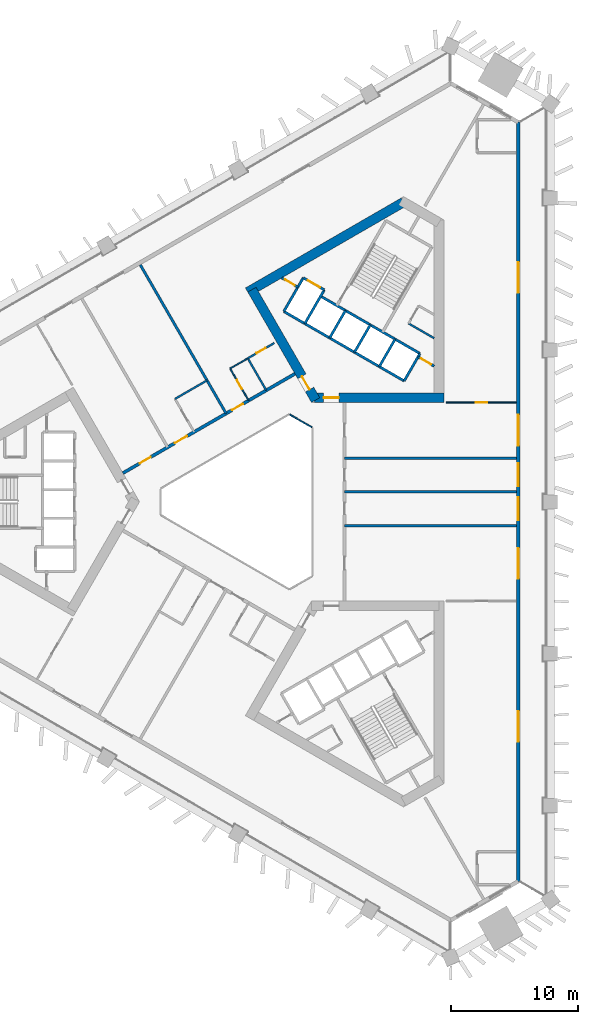
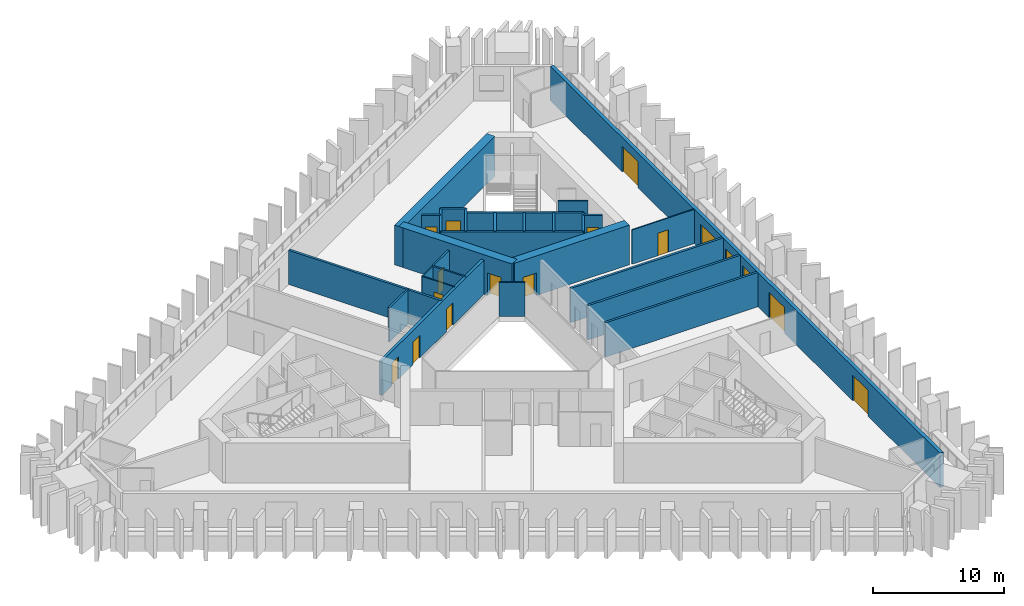
# One storey, part 5 of 10: 28 walls, 15 doors, 2 windows, 17 openings.
"""IFC4 building model written with IfcOpenShell, lengths in metres."""

from ifc_helpers import new_model, si_unit, direction, frame, frame_2d, origin, place, context, subcontext, project, spatial, rectangle, extrude, material, layer, layer_set, type_object, element, fill, save


model = new_model("IFC4")

# Units and contexts
model_context = context("Model", 3, precision=1e-05, world=origin(), true_north=direction((0.0, 1.0)))
body_context = subcontext(model_context, "Body", "Model", "MODEL_VIEW")
ifc_project = project(units=[si_unit("LENGTHUNIT", "METRE"), si_unit("AREAUNIT", "SQUARE_METRE"), si_unit("VOLUMEUNIT", "CUBIC_METRE"), si_unit("PLANEANGLEUNIT", "RADIAN"), si_unit("MASSUNIT", "GRAM", prefix="KILO")], contexts=[model_context])

# Site, building, storey
site_placement = place(None, origin())
site = spatial("IfcSite", under=ifc_project, at=site_placement, CompositionType="ELEMENT")
building_placement = place(site_placement, origin())
building = spatial("IfcBuilding", under=site, at=building_placement, Name="Jabali Bay Hotel Tower and Convention Centre", CompositionType="ELEMENT")
storey_placement = place(building_placement, frame((0.0, 0.0, 68.39990234375)))
storey = spatial("IfcBuildingStorey", under=building, at=storey_placement, Name="L15", CompositionType="ELEMENT", Elevation=68.39990234375)

# Wall
ifc_material_1 = material(Name="Fire-resistant glazing", Category="glass")
ifc_layer_1 = layer(ifc_material_1, 0.10009765625)
ifc_layer_set_1 = layer_set([ifc_layer_1], Name="Fire-resistant glazing")
wall_type_1 = type_object("IfcWallType", Name="Atrium glazed screen 100", PredefinedType="PARTITIONING", material=ifc_layer_set_1)
wall_1_placement = place(storey_placement, frame((79.530029296875, 85.84619140625, 0.0), z_axis=(0.0, 0.0, 1.0), x_axis=(-0.866041268327, 0.499972520799, 0.0)))
element("IfcWall", 1, at=wall_1_placement, inside=storey, type_object=wall_type_1, Name="Atrium screen 2 L15", PredefinedType="PARTITIONING", context=body_context, shape_type="SweptSolid", body=[
    extrude(rectangle(XDim=2.0, YDim=0.10009765625, at=frame_2d((1.0, 0.0))), origin(), (0.0, 0.0, 1.0), 3.2001953125),
])

# Wall, opening, door
ifc_material_2 = material(Name="Concrete C40", Category="concrete")
ifc_layer_2 = layer(ifc_material_2, 0.199951171875)
ifc_layer_set_2 = layer_set([ifc_layer_2], Name="Concrete C40")
wall_type_2 = type_object("IfcWallType", Name="Core partition wall 200", PredefinedType="PARTITIONING", material=ifc_layer_set_2)
wall_2_placement = place(storey_placement, frame((89.130126953125, 90.640625, 0.0), z_axis=(0.0, 0.0, 1.0), x_axis=(-0.866094119867, 0.499880961361, 0.0)))
wall_2 = element("IfcWall", 2, at=wall_2_placement, inside=storey, type_object=wall_type_2, Name="Core wall 1.11 L15", PredefinedType="PARTITIONING", context=body_context, shape_type="SweptSolid", body=[
    extrude(rectangle(XDim=1.466552734375, YDim=0.199951171875, at=frame_2d((0.7333984375, 0.0))), origin(), (0.0, 0.0, 1.0), 3.2001953125),
])
opening_1_placement = place(wall_2_placement, frame((0.283447265625, 0.0, 0.0)))
opening_1 = element("IfcOpeningElement", 3, at=opening_1_placement, cuts=wall_2, Name="Opening D393", PredefinedType="OPENING", context=body_context, shape_type="SweptSolid", body=[
    extrude(rectangle(XDim=0.89990234375, YDim=2.10009765625, at=frame_2d((0.449951171875, 1.050048828125))), frame((0.0, 0.1103515625, 0.0), z_axis=(0.0, -1.0, 0.0), x_axis=(1.0, 0.0, 0.0)), (0.0, 0.0, 1.0), 0.220947265625),
])
ifc_material_3 = material(Name="Fire-rated steel door", Category="steel")
door_type_1 = type_object("IfcDoorType", Name="Vestibule fire door 900 x 2100", OperationType="NOTDEFINED", PredefinedType="NOTDEFINED", material=ifc_material_3)
door_1_placement = place(opening_1_placement, origin())
door_1 = element("IfcDoor", 4, at=door_1_placement, inside=storey, type_object=door_type_1, Name="Vestibule fire door D393", OperationType="SINGLE_SWING_LEFT", OverallHeight=2.10009765625, OverallWidth=0.89990234375, PredefinedType="NOTDEFINED", context=body_context, shape_type="SweptSolid", body=[
    extrude(rectangle(XDim=0.89990234375, YDim=2.10009765625, at=frame_2d((0.449951171875, 1.050048828125))), frame((0.0, 0.02490234375, 0.0), z_axis=(0.0, -1.0, 0.0), x_axis=(1.0, 0.0, 0.0)), (0.0, 0.0, 1.0), 0.050048828125),
])
fill(opening_1, door_1)

wall_3_placement = place(storey_placement, frame((78.43017578125, 96.84130859375, 0.0), z_axis=(0.0, 0.0, 1.0), x_axis=(-0.866045896294, 0.499964504253, 0.0)))
wall_3 = element("IfcWall", 5, at=wall_3_placement, inside=storey, type_object=wall_type_2, Name="Core wall 1.12 L15", PredefinedType="PARTITIONING", context=body_context, shape_type="SweptSolid", body=[
    extrude(rectangle(XDim=1.455078125, YDim=0.199951171875, at=frame_2d((0.7275390625, 0.0))), origin(), (0.0, 0.0, 1.0), 3.2001953125),
])
opening_2_placement = place(wall_3_placement, frame((0.277587890625, 0.0, 0.0)))
opening_2 = element("IfcOpeningElement", 6, at=opening_2_placement, cuts=wall_3, Name="Opening D392", PredefinedType="OPENING", context=body_context, shape_type="SweptSolid", body=[
    extrude(rectangle(XDim=0.89990234375, YDim=2.10009765625, at=frame_2d((0.449951171875, 1.050048828125))), frame((0.0, 0.1103515625, 0.0), z_axis=(0.0, -1.0, 0.0), x_axis=(1.0, 0.0, 0.0)), (0.0, 0.0, 1.0), 0.220947265625),
])
door_2_placement = place(opening_2_placement, origin())
door_2 = element("IfcDoor", 7, at=door_2_placement, inside=storey, type_object=door_type_1, Name="Vestibule fire door D392", OperationType="SINGLE_SWING_LEFT", OverallHeight=2.10009765625, OverallWidth=0.89990234375, PredefinedType="NOTDEFINED", context=body_context, shape_type="SweptSolid", body=[
    extrude(rectangle(XDim=0.89990234375, YDim=2.10009765625, at=frame_2d((0.449951171875, 1.050048828125))), frame((0.0, 0.02490234375, 0.0), z_axis=(0.0, -1.0, 0.0), x_axis=(1.0, 0.0, 0.0)), (0.0, 0.0, 1.0), 0.050048828125),
])
fill(opening_2, door_2)

# Walls
ifc_material_4 = material(Name="Fire-rated board partition")
ifc_layer_3 = layer(ifc_material_4, 0.14990234375)
ifc_layer_set_3 = layer_set([ifc_layer_3], Name="Fire-rated board partition")
wall_type_3 = type_object("IfcWallType", Name="Core room partition 150", PredefinedType="PARTITIONING", material=ifc_layer_set_3)
wall_4_placement = place(storey_placement, frame((89.130126953125, 92.83447265625, 0.0), z_axis=(0.0, 0.0, 1.0), x_axis=(-0.866026103983, 0.499998787219, 0.0)))
element("IfcWall", 8, at=wall_4_placement, inside=storey, type_object=wall_type_3, Name="Core wall 1.15 L15", PredefinedType="PARTITIONING", context=body_context, shape_type="SweptSolid", body=[
    extrude(rectangle(XDim=2.31982421875, YDim=0.14990234375, at=frame_2d((1.159912109375, 0.0))), origin(), (0.0, 0.0, 1.0), 3.2001953125),
])
ifc_layer_4 = layer(ifc_material_2, 0.199951171875)
ifc_layer_set_4 = layer_set([ifc_layer_4], Name="Concrete C40")
wall_type_4 = type_object("IfcWallType", Name="Core stair wall 200", PredefinedType="SOLIDWALL", material=ifc_layer_set_4)
for number, where, z_axis, x_axis, name in (
    (9, (86.769775390625, 89.48583984375, 0.0), (0.0, 0.0, 1.0), (0.499961042966, 0.86604789447, 0.0), "Core wall 1.0 L15"),
    (10, (84.8212890625, 90.61083984375, 0.0), (0.0, 0.0, 1.0), (0.499961042966, 0.86604789447, 0.0), "Core wall 1.2 L15"),
    (11, (82.872802734375, 91.73583984375, 0.0), (0.0, 0.0, 1.0), (0.499961042966, 0.86604789447, 0.0), "Core wall 1.4 L15"),
    (12, (80.924072265625, 92.86083984375, 0.0), (0.0, 0.0, 1.0), (0.499961042966, 0.86604789447, 0.0), "Core wall 1.6 L15"),
):
    element("IfcWall", number, at=place(storey_placement, frame(where, z_axis=z_axis, x_axis=x_axis)), inside=storey, type_object=wall_type_4, Name=name, PredefinedType="SOLIDWALL", context=body_context, shape_type="SweptSolid", body=[
        extrude(rectangle(XDim=2.480224609375, YDim=0.199951171875, at=frame_2d((1.240234375, 0.0))), origin(), (0.0, 0.0, 1.0), 3.2001953125),
    ])
for number, where, z_axis, x_axis, name in (
    (13, (78.9755859375, 93.98583984375, 0.0), (0.0, 0.0, 1.0), (0.499944174705, 0.866057632134, 0.0), "Core wall 1.8 L15"),
    (14, (77.330078125, 94.93603515625, 0.0), (0.0, 0.0, 1.0), (0.500038867431, 0.8660029625, 0.0), "Core wall 1.9 L15"),
):
    element("IfcWall", number, at=place(storey_placement, frame(where, z_axis=z_axis, x_axis=x_axis)), inside=storey, type_object=wall_type_4, Name=name, PredefinedType="SOLIDWALL", context=body_context, shape_type="SweptSolid", body=[
        extrude(rectangle(XDim=3.050048828125, YDim=0.199951171875, at=frame_2d((1.52490234375, 0.0))), origin(), (0.0, 0.0, 1.0), 3.2001953125),
    ])
wall_5_placement = place(storey_placement, frame((86.769775390625, 89.48583984375, 0.0), z_axis=(0.0, 0.0, 1.0), x_axis=(-0.86601811187, 0.500012629753, 0.0)))
element("IfcWall", 15, at=wall_5_placement, inside=storey, type_object=wall_type_4, Name="Core wall 1.10 L15", PredefinedType="SOLIDWALL", context=body_context, shape_type="SweptSolid", body=[
    extrude(rectangle(XDim=10.900146484375, YDim=0.199951171875, at=frame_2d((5.4501953125, 0.0))), origin(), (0.0, 0.0, 1.0), 3.2001953125),
])
wall_6_placement = place(storey_placement, frame((88.009765625, 91.6337890625, 0.0), z_axis=(0.0, 0.0, 1.0), x_axis=(-0.866024315419, 0.5000018851, 0.0)))
element("IfcWall", 16, at=wall_6_placement, inside=storey, type_object=wall_type_4, Name="Core wall 1.13 L15", PredefinedType="SOLIDWALL", context=body_context, shape_type="SweptSolid", body=[
    extrude(rectangle(XDim=9.0, YDim=0.199951171875, at=frame_2d((4.5, 0.0))), origin(), (0.0, 0.0, 1.0), 3.2001953125),
])

# Wall, opening, door
wall_7_placement = place(storey_placement, frame((80.50048828125, 96.62744140625, 0.0), z_axis=(0.0, 0.0, 1.0), x_axis=(-0.86601224135, 0.500022797313, 0.0)))
wall_7 = element("IfcWall", 17, at=wall_7_placement, inside=storey, type_object=wall_type_4, Name="Core wall 1.14 L15", PredefinedType="SOLIDWALL", context=body_context, shape_type="SweptSolid", body=[
    extrude(rectangle(XDim=1.89990234375, YDim=0.199951171875, at=frame_2d((0.949951171875, 0.0))), origin(), (0.0, 0.0, 1.0), 3.2001953125),
])
opening_3_placement = place(wall_7_placement, frame((0.39990234375, 0.0, 0.0)))
opening_3 = element("IfcOpeningElement", 18, at=opening_3_placement, cuts=wall_7, Name="Opening LD10-L15", PredefinedType="OPENING", context=body_context, shape_type="SweptSolid", body=[
    extrude(rectangle(XDim=1.10009765625, YDim=2.10009765625, at=frame_2d((0.550048828125, 1.050048828125))), frame((0.0, 0.1103515625, 0.0), z_axis=(0.0, -1.0, 0.0), x_axis=(1.0, 0.0, 0.0)), (0.0, 0.0, 1.0), 0.220947265625),
])
ifc_material_5 = material(Name="Stainless steel landing door", Category="steel")
door_type_2 = type_object("IfcDoorType", Name="Landing door 1100 x 2100", OperationType="NOTDEFINED", PredefinedType="NOTDEFINED", material=ifc_material_5)
door_3_placement = place(opening_3_placement, origin())
door_3 = element("IfcDoor", 19, at=door_3_placement, inside=storey, type_object=door_type_2, Name="Landing doors LD10-L15", OperationType="SLIDING_TO_RIGHT", OverallHeight=2.10009765625, OverallWidth=1.10009765625, PredefinedType="NOTDEFINED", context=body_context, shape_type="SweptSolid", body=[
    extrude(rectangle(XDim=1.10009765625, YDim=2.10009765625, at=frame_2d((0.550048828125, 1.050048828125))), frame((0.0, 0.02490234375, 0.0), z_axis=(0.0, -1.0, 0.0), x_axis=(1.0, 0.0, 0.0)), (0.0, 0.0, 1.0), 0.050048828125),
])
fill(opening_3, door_3)

ifc_material_6 = material(Name="Concrete C60", Category="concrete")
ifc_layer_5 = layer(ifc_material_6, 0.75)
ifc_layer_set_5 = layer_set([ifc_layer_5], Name="Concrete C60")
wall_type_5 = type_object("IfcWallType", Name="Core wall 750", PredefinedType="SHEAR", material=ifc_layer_set_5)
wall_8_placement = place(storey_placement, frame((79.716552734375, 88.169189453125, 0.0), z_axis=(0.0, 0.0, 1.0), x_axis=(1.0, 0.0, 0.0)))
wall_8 = element("IfcWall", 20, at=wall_8_placement, inside=storey, type_object=wall_type_5, Name="Core wall 2.1 L15", PredefinedType="SHEAR", context=body_context, shape_type="SweptSolid", body=[
    extrude(rectangle(XDim=10.163330078125, YDim=0.75, at=frame_2d((5.08154296875, 0.0))), origin(), (0.0, 0.0, 1.0), 3.7001953125),
])
opening_4_placement = place(wall_8_placement, frame((0.7333984375, 0.0, 0.0)))
opening_4 = element("IfcOpeningElement", 21, at=opening_4_placement, cuts=wall_8, Name="Opening D390", PredefinedType="OPENING", context=body_context, shape_type="SweptSolid", body=[
    extrude(rectangle(XDim=1.199951171875, YDim=2.10009765625, at=frame_2d((0.60009765625, 1.050048828125))), frame((0.0, 0.385498046875, 0.0), z_axis=(0.0, -1.0, 0.0), x_axis=(1.0, 0.0, 0.0)), (0.0, 0.0, 1.0), 0.77099609375),
])
door_type_3 = type_object("IfcDoorType", Name="Corridor end fire door 1200 x 2100", OperationType="NOTDEFINED", PredefinedType="NOTDEFINED", material=ifc_material_3)
door_4_placement = place(opening_4_placement, origin())
door_4 = element("IfcDoor", 22, at=door_4_placement, inside=storey, type_object=door_type_3, Name="Corridor end fire door D390", OperationType="SINGLE_SWING_RIGHT", OverallHeight=2.10009765625, OverallWidth=1.199951171875, PredefinedType="NOTDEFINED", context=body_context, shape_type="SweptSolid", body=[
    extrude(rectangle(XDim=1.199951171875, YDim=2.10009765625, at=frame_2d((0.60009765625, 1.050048828125))), frame((0.0, 0.02490234375, 0.0), z_axis=(0.0, -1.0, 0.0), x_axis=(1.0, 0.0, 0.0)), (0.0, 0.0, 1.0), 0.050048828125),
])
fill(opening_4, door_4)

# Wall
wall_9_placement = place(storey_placement, frame((86.72314453125, 103.517333984375, 0.0), z_axis=(0.0, 0.0, 1.0), x_axis=(-0.866020851292, -0.500007885066, 0.0)))
element("IfcWall", 23, at=wall_9_placement, inside=storey, type_object=wall_type_5, Name="Core wall 2.4 L15", PredefinedType="SHEAR", context=body_context, shape_type="SweptSolid", body=[
    extrude(rectangle(XDim=14.116943359375, YDim=0.75, at=frame_2d((7.05859375, 0.0))), origin(), (0.0, 0.0, 1.0), 3.7001953125),
])

# Wall, opening, door
wall_10_placement = place(storey_placement, frame((74.822265625, 96.646240234375, 0.0), z_axis=(0.0, 0.0, 1.0), x_axis=(0.499997052475, -0.866027105532, 0.0)))
wall_10 = element("IfcWall", 24, at=wall_10_placement, inside=storey, type_object=wall_type_5, Name="Core wall 2.5 L15", PredefinedType="SHEAR", context=body_context, shape_type="SweptSolid", body=[
    extrude(rectangle(XDim=10.0048828125, YDim=0.75, at=frame_2d((5.00244140625, 0.0))), origin(), (0.0, 0.0, 1.0), 3.7001953125),
])
opening_5_placement = place(wall_10_placement, frame((7.85498046875, 0.0, 0.0)))
opening_5 = element("IfcOpeningElement", 25, at=opening_5_placement, cuts=wall_10, Name="Opening D391", PredefinedType="OPENING", context=body_context, shape_type="SweptSolid", body=[
    extrude(rectangle(XDim=1.199951171875, YDim=2.10009765625, at=frame_2d((0.60009765625, 1.050048828125))), frame((0.0, 0.385498046875, 0.0), z_axis=(0.0, -1.0, 0.0), x_axis=(1.0, 0.0, 0.0)), (0.0, 0.0, 1.0), 0.77099609375),
])
door_5_placement = place(opening_5_placement, origin())
door_5 = element("IfcDoor", 26, at=door_5_placement, inside=storey, type_object=door_type_3, Name="Corridor end fire door D391", OperationType="SINGLE_SWING_LEFT", OverallHeight=2.10009765625, OverallWidth=1.199951171875, PredefinedType="NOTDEFINED", context=body_context, shape_type="SweptSolid", body=[
    extrude(rectangle(XDim=1.199951171875, YDim=2.10009765625, at=frame_2d((0.60009765625, 1.050048828125))), frame((0.0, 0.02490234375, 0.0), z_axis=(0.0, -1.0, 0.0), x_axis=(1.0, 0.0, 0.0)), (0.0, 0.0, 1.0), 0.050048828125),
])
fill(opening_5, door_5)

# Wall, openings, doors
ifc_layer_6 = layer(ifc_material_6, 0.25)
ifc_layer_set_6 = layer_set([ifc_layer_6], Name="Concrete C60")
wall_type_6 = type_object("IfcWallType", Name="Corridor wall 250", PredefinedType="SHEAR", material=ifc_layer_set_6)
wall_11_placement = place(storey_placement, frame((78.199951171875, 90.0458984375, 0.0), z_axis=(0.0, 0.0, 1.0), x_axis=(-0.866026492143, -0.499998114903, 0.0)))
wall_11 = element("IfcWall", 27, at=wall_11_placement, inside=storey, type_object=wall_type_6, Name="Corridor wall 2 L15", PredefinedType="SHEAR", context=body_context, shape_type="SweptSolid", body=[
    extrude(rectangle(XDim=15.58837890625, YDim=0.25, at=frame_2d((7.794189453125, 0.0))), origin(), (0.0, 0.0, 1.0), 3.2001953125),
])
opening_6_placement = place(wall_11_placement, frame((4.7177734375, 0.0, 0.0)))
opening_6 = element("IfcOpeningElement", 28, at=opening_6_placement, cuts=wall_11, Name="Opening 1511", PredefinedType="OPENING", context=body_context, shape_type="SweptSolid", body=[
    extrude(rectangle(XDim=1.0, YDim=2.10009765625, at=frame_2d((0.5, 1.050048828125))), frame((0.0, 0.135498046875, 0.0), z_axis=(0.0, -1.0, 0.0), x_axis=(1.0, 0.0, 0.0)), (0.0, 0.0, 1.0), 0.27099609375),
])
opening_7_placement = place(wall_11_placement, frame((9.785400390625, 0.0, 0.0)))
opening_7 = element("IfcOpeningElement", 29, at=opening_7_placement, cuts=wall_11, Name="Opening 1513", PredefinedType="OPENING", context=body_context, shape_type="SweptSolid", body=[
    extrude(rectangle(XDim=1.10009765625, YDim=2.10009765625, at=frame_2d((0.550048828125, 1.050048828125))), frame((0.0, 0.135498046875, 0.0), z_axis=(0.0, -1.0, 0.0), x_axis=(1.0, 0.0, 0.0)), (0.0, 0.0, 1.0), 0.27099609375),
])
opening_8_placement = place(wall_11_placement, frame((13.06201171875, 0.0, 0.0)))
opening_8 = element("IfcOpeningElement", 30, at=opening_8_placement, cuts=wall_11, Name="Opening 1514", PredefinedType="OPENING", context=body_context, shape_type="SweptSolid", body=[
    extrude(rectangle(XDim=1.0, YDim=2.10009765625, at=frame_2d((0.5, 1.050048828125))), frame((0.0, 0.135498046875, 0.0), z_axis=(0.0, -1.0, 0.0), x_axis=(1.0, 0.0, 0.0)), (0.0, 0.0, 1.0), 0.27099609375),
])
ifc_material_7 = material(Name="Timber", Category="wood")
door_type_4 = type_object("IfcDoorType", Name="Accessible guest room door 1100 x 2100", OperationType="NOTDEFINED", PredefinedType="NOTDEFINED", material=ifc_material_7)
door_6_placement = place(opening_7_placement, origin())
door_6 = element("IfcDoor", 31, at=door_6_placement, inside=storey, type_object=door_type_4, Name="Door 1513", OperationType="SINGLE_SWING_RIGHT", OverallHeight=2.10009765625, OverallWidth=1.10009765625, PredefinedType="NOTDEFINED", context=body_context, shape_type="SweptSolid", body=[
    extrude(rectangle(XDim=1.10009765625, YDim=2.10009765625, at=frame_2d((0.550048828125, 1.050048828125))), frame((0.0, 0.02490234375, 0.0), z_axis=(0.0, -1.0, 0.0), x_axis=(1.0, 0.0, 0.0)), (0.0, 0.0, 1.0), 0.050048828125),
])
fill(opening_7, door_6)
door_type_5 = type_object("IfcDoorType", Name="Guest room door 1000 x 2100", OperationType="NOTDEFINED", PredefinedType="NOTDEFINED", material=ifc_material_7)
door_7_placement = place(opening_6_placement, origin())
door_7 = element("IfcDoor", 32, at=door_7_placement, inside=storey, type_object=door_type_5, Name="Door 1511", OperationType="SINGLE_SWING_LEFT", OverallHeight=2.10009765625, OverallWidth=1.0, PredefinedType="NOTDEFINED", context=body_context, shape_type="SweptSolid", body=[
    extrude(rectangle(XDim=1.0, YDim=2.10009765625, at=frame_2d((0.5, 1.050048828125))), frame((0.0, 0.02490234375, 0.0), z_axis=(0.0, -1.0, 0.0), x_axis=(1.0, 0.0, 0.0)), (0.0, 0.0, 1.0), 0.050048828125),
])
fill(opening_6, door_7)
door_8_placement = place(opening_8_placement, origin())
door_8 = element("IfcDoor", 33, at=door_8_placement, inside=storey, type_object=door_type_5, Name="Door 1514", OperationType="SINGLE_SWING_RIGHT", OverallHeight=2.10009765625, OverallWidth=1.0, PredefinedType="NOTDEFINED", context=body_context, shape_type="SweptSolid", body=[
    extrude(rectangle(XDim=1.0, YDim=2.10009765625, at=frame_2d((0.5, 1.050048828125))), frame((0.0, 0.02490234375, 0.0), z_axis=(0.0, -1.0, 0.0), x_axis=(1.0, 0.0, 0.0)), (0.0, 0.0, 1.0), 0.050048828125),
])
fill(opening_8, door_8)

# Wall, openings, doors, windows
ifc_layer_7 = layer(ifc_material_2, 0.300048828125)
ifc_layer_set_7 = layer_set([ifc_layer_7], Name="Concrete C40")
wall_type_7 = type_object("IfcWallType", Name="External wall 300", PredefinedType="SOLIDWALL", material=ifc_layer_set_7)
wall_12_placement = place(storey_placement, frame((95.724853515625, 109.7978515625, 0.0), z_axis=(0.0, 0.0, 1.0), x_axis=(0.0, -1.0, 0.0)))
wall_12 = element("IfcWall", 34, at=wall_12_placement, inside=storey, type_object=wall_type_7, Name="External wall east face L15", PredefinedType="SOLIDWALL", context=body_context, shape_type="SweptSolid", body=[
    extrude(rectangle(XDim=59.595703125, YDim=0.300048828125, at=frame_2d((29.7978515625, 0.0))), origin(), (0.0, 0.0, 1.0), 3.2001953125),
])
opening_9_placement = place(wall_12_placement, frame((33.430419921875, 0.0, 0.0)))
opening_9 = element("IfcOpeningElement", 35, at=opening_9_placement, cuts=wall_12, Name="Opening SD1", PredefinedType="OPENING", context=body_context, shape_type="SweptSolid", body=[
    extrude(rectangle(XDim=2.39990234375, YDim=2.39990234375, at=frame_2d((1.199951171875, 1.199951171875))), frame((0.0, 0.16064453125, 0.0), z_axis=(0.0, -1.0, 0.0), x_axis=(1.0, 0.0, 0.0)), (0.0, 0.0, 1.0), 0.321044921875),
])
opening_10_placement = place(wall_12_placement, frame((46.230224609375, 0.0, 0.0)))
opening_10 = element("IfcOpeningElement", 36, at=opening_10_placement, cuts=wall_12, Name="Opening SD1", PredefinedType="OPENING", context=body_context, shape_type="SweptSolid", body=[
    extrude(rectangle(XDim=2.39990234375, YDim=2.39990234375, at=frame_2d((1.199951171875, 1.199951171875))), frame((0.0, 0.16064453125, 0.0), z_axis=(0.0, -1.0, 0.0), x_axis=(1.0, 0.0, 0.0)), (0.0, 0.0, 1.0), 0.321044921875),
])
opening_11_placement = place(wall_12_placement, frame((22.986083984375, 0.0, 0.0)))
opening_11 = element("IfcOpeningElement", 37, at=opening_11_placement, cuts=wall_12, Name="Opening SD1", PredefinedType="OPENING", context=body_context, shape_type="SweptSolid", body=[
    extrude(rectangle(XDim=2.39990234375, YDim=2.39990234375, at=frame_2d((1.199951171875, 1.199951171875))), frame((0.0, 0.16064453125, 0.0), z_axis=(0.0, -1.0, 0.0), x_axis=(1.0, 0.0, 0.0)), (0.0, 0.0, 1.0), 0.321044921875),
])
opening_12_placement = place(wall_12_placement, frame((10.99462890625, 0.0, 0.0)))
opening_12 = element("IfcOpeningElement", 38, at=opening_12_placement, cuts=wall_12, Name="Opening SD1", PredefinedType="OPENING", context=body_context, shape_type="SweptSolid", body=[
    extrude(rectangle(XDim=2.39990234375, YDim=2.39990234375, at=frame_2d((1.199951171875, 1.199951171875))), frame((0.0, 0.16064453125, 0.0), z_axis=(0.0, -1.0, 0.0), x_axis=(1.0, 0.0, 0.0)), (0.0, 0.0, 1.0), 0.321044921875),
])
opening_13_placement = place(wall_12_placement, frame((29.443603515625, 0.0, 0.89990234375)))
opening_13 = element("IfcOpeningElement", 39, at=opening_13_placement, cuts=wall_12, Name="Opening W1", PredefinedType="OPENING", context=body_context, shape_type="SweptSolid", body=[
    extrude(rectangle(XDim=1.800048828125, YDim=1.5, at=frame_2d((0.89990234375, 0.75))), frame((0.0, 0.16064453125, 0.0), z_axis=(0.0, -1.0, 0.0), x_axis=(1.0, 0.0, 0.0)), (0.0, 0.0, 1.0), 0.321044921875),
])
opening_14_placement = place(wall_12_placement, frame((26.79345703125, 0.0, 0.89990234375)))
opening_14 = element("IfcOpeningElement", 40, at=opening_14_placement, cuts=wall_12, Name="Opening W1", PredefinedType="OPENING", context=body_context, shape_type="SweptSolid", body=[
    extrude(rectangle(XDim=1.800048828125, YDim=1.5, at=frame_2d((0.89990234375, 0.75))), frame((0.0, 0.16064453125, 0.0), z_axis=(0.0, -1.0, 0.0), x_axis=(1.0, 0.0, 0.0)), (0.0, 0.0, 1.0), 0.321044921875),
])
ifc_material_8 = material(Name="Glass", Category="glass")
door_type_6 = type_object("IfcDoorType", Name="Loggia sliding door 2400 x 2400", OperationType="NOTDEFINED", PredefinedType="NOTDEFINED", material=ifc_material_8)
door_9_placement = place(opening_9_placement, origin())
door_9 = element("IfcDoor", 41, at=door_9_placement, inside=storey, type_object=door_type_6, Name="Loggia sliding door 1501", OperationType="SLIDING_TO_LEFT", OverallHeight=2.39990234375, OverallWidth=2.39990234375, PredefinedType="NOTDEFINED", context=body_context, shape_type="SweptSolid", body=[
    extrude(rectangle(XDim=2.39990234375, YDim=2.39990234375, at=frame_2d((1.199951171875, 1.199951171875))), frame((0.0, 0.02490234375, 0.0), z_axis=(0.0, -1.0, 0.0), x_axis=(1.0, 0.0, 0.0)), (0.0, 0.0, 1.0), 0.050048828125),
])
fill(opening_9, door_9)
door_10_placement = place(opening_10_placement, origin())
door_10 = element("IfcDoor", 42, at=door_10_placement, inside=storey, type_object=door_type_6, Name="Loggia sliding door 1501", OperationType="SLIDING_TO_RIGHT", OverallHeight=2.39990234375, OverallWidth=2.39990234375, PredefinedType="NOTDEFINED", context=body_context, shape_type="SweptSolid", body=[
    extrude(rectangle(XDim=2.39990234375, YDim=2.39990234375, at=frame_2d((1.199951171875, 1.199951171875))), frame((0.0, 0.02490234375, 0.0), z_axis=(0.0, -1.0, 0.0), x_axis=(1.0, 0.0, 0.0)), (0.0, 0.0, 1.0), 0.050048828125),
])
fill(opening_10, door_10)
door_11_placement = place(opening_11_placement, origin())
door_11 = element("IfcDoor", 43, at=door_11_placement, inside=storey, type_object=door_type_6, Name="Loggia sliding door 1504", OperationType="SLIDING_TO_LEFT", OverallHeight=2.39990234375, OverallWidth=2.39990234375, PredefinedType="NOTDEFINED", context=body_context, shape_type="SweptSolid", body=[
    extrude(rectangle(XDim=2.39990234375, YDim=2.39990234375, at=frame_2d((1.199951171875, 1.199951171875))), frame((0.0, 0.02490234375, 0.0), z_axis=(0.0, -1.0, 0.0), x_axis=(1.0, 0.0, 0.0)), (0.0, 0.0, 1.0), 0.050048828125),
])
fill(opening_11, door_11)
door_12_placement = place(opening_12_placement, origin())
door_12 = element("IfcDoor", 44, at=door_12_placement, inside=storey, type_object=door_type_6, Name="Loggia sliding door 1504", OperationType="SLIDING_TO_RIGHT", OverallHeight=2.39990234375, OverallWidth=2.39990234375, PredefinedType="NOTDEFINED", context=body_context, shape_type="SweptSolid", body=[
    extrude(rectangle(XDim=2.39990234375, YDim=2.39990234375, at=frame_2d((1.199951171875, 1.199951171875))), frame((0.0, 0.02490234375, 0.0), z_axis=(0.0, -1.0, 0.0), x_axis=(1.0, 0.0, 0.0)), (0.0, 0.0, 1.0), 0.050048828125),
])
fill(opening_12, door_12)
window_type = type_object("IfcWindowType", Name="Window 1800 x 1500", PartitioningType="SINGLE_PANEL", PredefinedType="WINDOW", material=ifc_material_8)
window_1_placement = place(opening_13_placement, origin())
window_1 = element("IfcWindow", 45, at=window_1_placement, inside=storey, type_object=window_type, Name="Window 1502", OverallHeight=1.5, OverallWidth=1.800048828125, PartitioningType="SINGLE_PANEL", PredefinedType="WINDOW", context=body_context, shape_type="SweptSolid", body=[
    extrude(rectangle(XDim=1.800048828125, YDim=1.5, at=frame_2d((0.89990234375, 0.75))), frame((0.0, 0.030029296875, 0.0), z_axis=(0.0, -1.0, 0.0), x_axis=(1.0, 0.0, 0.0)), (0.0, 0.0, 1.0), 0.06005859375),
])
fill(opening_13, window_1)
window_2_placement = place(opening_14_placement, origin())
window_2 = element("IfcWindow", 46, at=window_2_placement, inside=storey, type_object=window_type, Name="Window 1503", OverallHeight=1.5, OverallWidth=1.800048828125, PartitioningType="SINGLE_PANEL", PredefinedType="WINDOW", context=body_context, shape_type="SweptSolid", body=[
    extrude(rectangle(XDim=1.800048828125, YDim=1.5, at=frame_2d((0.89990234375, 0.75))), frame((0.0, 0.030029296875, 0.0), z_axis=(0.0, -1.0, 0.0), x_axis=(1.0, 0.0, 0.0)), (0.0, 0.0, 1.0), 0.06005859375),
])
fill(opening_14, window_2)

# Wall, opening, door
ifc_material_9 = material(Name="Plasterboard on steel stud", Category="steel")
ifc_layer_8 = layer(ifc_material_9, 0.10009765625)
ifc_layer_set_8 = layer_set([ifc_layer_8], Name="Plasterboard on steel stud")
wall_type_8 = type_object("IfcWallType", Name="Partition 100 unit", PredefinedType="PARTITIONING", material=ifc_layer_set_8)
wall_13_placement = place(storey_placement, frame((95.57568359375, 87.794189453125, 0.0), z_axis=(0.0, 0.0, 1.0), x_axis=(-1.0, 0.0, 0.0)))
wall_13 = element("IfcWall", 47, at=wall_13_placement, inside=storey, type_object=wall_type_8, Name="Partition P02 L15 009", PredefinedType="PARTITIONING", context=body_context, shape_type="SweptSolid", body=[
    extrude(rectangle(XDim=5.49658203125, YDim=0.10009765625, at=frame_2d((2.748291015625, 0.0))), origin(), (0.0, 0.0, 1.0), 3.2001953125),
])
opening_15_placement = place(wall_13_placement, frame((2.298095703125, 0.0, 0.0)))
opening_15 = element("IfcOpeningElement", 48, at=opening_15_placement, cuts=wall_13, Name="Opening 1507", PredefinedType="OPENING", context=body_context, shape_type="SweptSolid", body=[
    extrude(rectangle(XDim=0.89990234375, YDim=2.10009765625, at=frame_2d((0.449951171875, 1.050048828125))), frame((0.0, 0.060546875, 0.0), z_axis=(0.0, -1.0, 0.0), x_axis=(1.0, 0.0, 0.0)), (0.0, 0.0, 1.0), 0.12109375),
])
door_type_7 = type_object("IfcDoorType", Name="Internal door 900 x 2100", OperationType="NOTDEFINED", PredefinedType="NOTDEFINED", material=ifc_material_7)
door_13_placement = place(opening_15_placement, origin())
door_13 = element("IfcDoor", 49, at=door_13_placement, inside=storey, type_object=door_type_7, Name="Door 1507", OperationType="SINGLE_SWING_LEFT", OverallHeight=2.10009765625, OverallWidth=0.89990234375, PredefinedType="NOTDEFINED", context=body_context, shape_type="SweptSolid", body=[
    extrude(rectangle(XDim=0.89990234375, YDim=2.10009765625, at=frame_2d((0.449951171875, 1.050048828125))), frame((0.0, 0.02490234375, 0.0), z_axis=(0.0, -1.0, 0.0), x_axis=(1.0, 0.0, 0.0)), (0.0, 0.0, 1.0), 0.050048828125),
])
fill(opening_15, door_13)

wall_14_placement = place(storey_placement, frame((74.562744140625, 87.94580078125, 0.0), z_axis=(0.0, 0.0, 1.0), x_axis=(-0.499987231761, 0.866032775405, 0.0)))
wall_14 = element("IfcWall", 50, at=wall_14_placement, inside=storey, type_object=wall_type_8, Name="Partition P02 L15 015", PredefinedType="PARTITIONING", context=body_context, shape_type="SweptSolid", body=[
    extrude(rectangle(XDim=2.89990234375, YDim=0.10009765625, at=frame_2d((1.449951171875, 0.0))), origin(), (0.0, 0.0, 1.0), 3.2001953125),
])
opening_16_placement = place(wall_14_placement, frame((1.050048828125, 0.0, 0.0)))
opening_16 = element("IfcOpeningElement", 51, at=opening_16_placement, cuts=wall_14, Name="Opening 1510", PredefinedType="OPENING", context=body_context, shape_type="SweptSolid", body=[
    extrude(rectangle(XDim=0.800048828125, YDim=2.10009765625, at=frame_2d((0.39990234375, 1.050048828125))), frame((0.0, 0.060546875, 0.0), z_axis=(0.0, -1.0, 0.0), x_axis=(1.0, 0.0, 0.0)), (0.0, 0.0, 1.0), 0.12109375),
])
door_type_8 = type_object("IfcDoorType", Name="Dressing room door 800 x 2100", OperationType="NOTDEFINED", PredefinedType="NOTDEFINED", material=ifc_material_7)
door_14_placement = place(opening_16_placement, origin())
door_14 = element("IfcDoor", 52, at=door_14_placement, inside=storey, type_object=door_type_8, Name="Door 1510", OperationType="SINGLE_SWING_RIGHT", OverallHeight=2.10009765625, OverallWidth=0.800048828125, PredefinedType="NOTDEFINED", context=body_context, shape_type="SweptSolid", body=[
    extrude(rectangle(XDim=0.800048828125, YDim=2.10009765625, at=frame_2d((0.39990234375, 1.050048828125))), frame((0.0, 0.02490234375, 0.0), z_axis=(0.0, -1.0, 0.0), x_axis=(1.0, 0.0, 0.0)), (0.0, 0.0, 1.0), 0.050048828125),
])
fill(opening_16, door_14)

# Wall
wall_15_placement = place(storey_placement, frame((73.11279296875, 90.457275390625, 0.0), z_axis=(0.0, 0.0, 1.0), x_axis=(0.865989903783, 0.500061482766, 0.0)))
element("IfcWall", 53, at=wall_15_placement, inside=storey, type_object=wall_type_8, Name="Partition P02 L15 016", PredefinedType="PARTITIONING", context=body_context, shape_type="SweptSolid", body=[
    extrude(rectangle(XDim=1.599853515625, YDim=0.10009765625, at=frame_2d((0.7998046875, 0.0))), origin(), (0.0, 0.0, 1.0), 3.2001953125),
])

# Wall, opening, door
ifc_layer_9 = layer(ifc_material_9, 0.14990234375)
ifc_layer_set_9 = layer_set([ifc_layer_9], Name="Plasterboard on steel stud")
wall_type_9 = type_object("IfcWallType", Name="Partition 150 wet", PredefinedType="PARTITIONING", material=ifc_layer_set_9)
wall_16_placement = place(storey_placement, frame((74.498291015625, 91.25732421875, 0.0), z_axis=(0.0, 0.0, 1.0), x_axis=(0.866038271014, 0.499977712642, 0.0)))
wall_16 = element("IfcWall", 54, at=wall_16_placement, inside=storey, type_object=wall_type_9, Name="Partition P03 L15 014", PredefinedType="PARTITIONING", context=body_context, shape_type="SweptSolid", body=[
    extrude(rectangle(XDim=2.40087890625, YDim=0.14990234375, at=frame_2d((1.200439453125, 0.0))), origin(), (0.0, 0.0, 1.0), 3.2001953125),
])
opening_17_placement = place(wall_16_placement, frame((0.801025390625, 0.0, 0.0)))
opening_17 = element("IfcOpeningElement", 55, at=opening_17_placement, cuts=wall_16, Name="Opening 1509", PredefinedType="OPENING", context=body_context, shape_type="SweptSolid", body=[
    extrude(rectangle(XDim=0.800048828125, YDim=2.10009765625, at=frame_2d((0.39990234375, 1.050048828125))), frame((0.0, 0.08544921875, 0.0), z_axis=(0.0, -1.0, 0.0), x_axis=(1.0, 0.0, 0.0)), (0.0, 0.0, 1.0), 0.1708984375),
])
door_type_9 = type_object("IfcDoorType", Name="En-suite door 800 x 2100", OperationType="NOTDEFINED", PredefinedType="NOTDEFINED", material=ifc_material_7)
door_15_placement = place(opening_17_placement, origin())
door_15 = element("IfcDoor", 56, at=door_15_placement, inside=storey, type_object=door_type_9, Name="Door 1509", OperationType="SINGLE_SWING_LEFT", OverallHeight=2.10009765625, OverallWidth=0.800048828125, PredefinedType="NOTDEFINED", context=body_context, shape_type="SweptSolid", body=[
    extrude(rectangle(XDim=0.800048828125, YDim=2.10009765625, at=frame_2d((0.39990234375, 1.050048828125))), frame((0.0, 0.02490234375, 0.0), z_axis=(0.0, -1.0, 0.0), x_axis=(1.0, 0.0, 0.0)), (0.0, 0.0, 1.0), 0.050048828125),
])
fill(opening_17, door_15)

# Walls
wall_17_placement = place(storey_placement, frame((74.498291015625, 91.25732421875, 0.0), z_axis=(0.0, 0.0, 1.0), x_axis=(0.499987231761, -0.866032775405, 0.0)))
element("IfcWall", 57, at=wall_17_placement, inside=storey, type_object=wall_type_9, Name="Partition P03 L15 018", PredefinedType="PARTITIONING", context=body_context, shape_type="SweptSolid", body=[
    extrude(rectangle(XDim=2.89990234375, YDim=0.14990234375, at=frame_2d((1.449951171875, 0.0))), origin(), (0.0, 0.0, 1.0), 3.2001953125),
])
wall_18_placement = place(storey_placement, frame((68.78857421875, 88.076171875, 0.0), z_axis=(0.0, 0.0, 1.0), x_axis=(0.865996321171, 0.50005036918, 0.0)))
element("IfcWall", 58, at=wall_18_placement, inside=storey, type_object=wall_type_9, Name="Partition P03 L15 020", PredefinedType="PARTITIONING", context=body_context, shape_type="SweptSolid", body=[
    extrude(rectangle(XDim=2.900146484375, YDim=0.14990234375, at=frame_2d((1.4501953125, 0.0))), origin(), (0.0, 0.0, 1.0), 3.2001953125),
])
ifc_layer_10 = layer(ifc_material_9, 0.199951171875)
ifc_layer_set_10 = layer_set([ifc_layer_10], Name="Plasterboard on steel stud")
wall_type_10 = type_object("IfcWallType", Name="Partition 200 party", PredefinedType="PARTITIONING", material=ifc_layer_set_10)
for number, where, z_axis, x_axis, name in (
    (59, (95.57568359375, 78.12939453125, 0.0), (0.0, 0.0, 1.0), (-1.0, 0.0, 0.0), "Partition P01 L15 002"),
    (60, (95.57568359375, 80.779541015625, 0.0), (0.0, 0.0, 1.0), (-1.0, 0.0, 0.0), "Partition P01 L15 007"),
    (61, (95.57568359375, 83.429443359375, 0.0), (0.0, 0.0, 1.0), (-1.0, 0.0, 0.0), "Partition P01 L15 008"),
):
    element("IfcWall", number, at=place(storey_placement, frame(where, z_axis=z_axis, x_axis=x_axis)), inside=storey, type_object=wall_type_10, Name=name, PredefinedType="PARTITIONING", context=body_context, shape_type="SweptSolid", body=[
        extrude(rectangle(XDim=13.4755859375, YDim=0.199951171875, at=frame_2d((6.73779296875, 0.0))), origin(), (0.0, 0.0, 1.0), 3.2001953125),
    ])
wall_19_placement = place(storey_placement, frame((66.06201171875, 98.5986328125, 0.0), z_axis=(0.0, 0.0, 1.0), x_axis=(0.500006826849, -0.866021462265, 0.0)))
element("IfcWall", 62, at=wall_19_placement, inside=storey, type_object=wall_type_10, Name="Partition P01 L15 017", PredefinedType="PARTITIONING", context=body_context, shape_type="SweptSolid", body=[
    extrude(rectangle(XDim=13.475830078125, YDim=0.199951171875, at=frame_2d((6.73779296875, 0.0))), origin(), (0.0, 0.0, 1.0), 3.2001953125),
])

save(model, "model.ifc")
